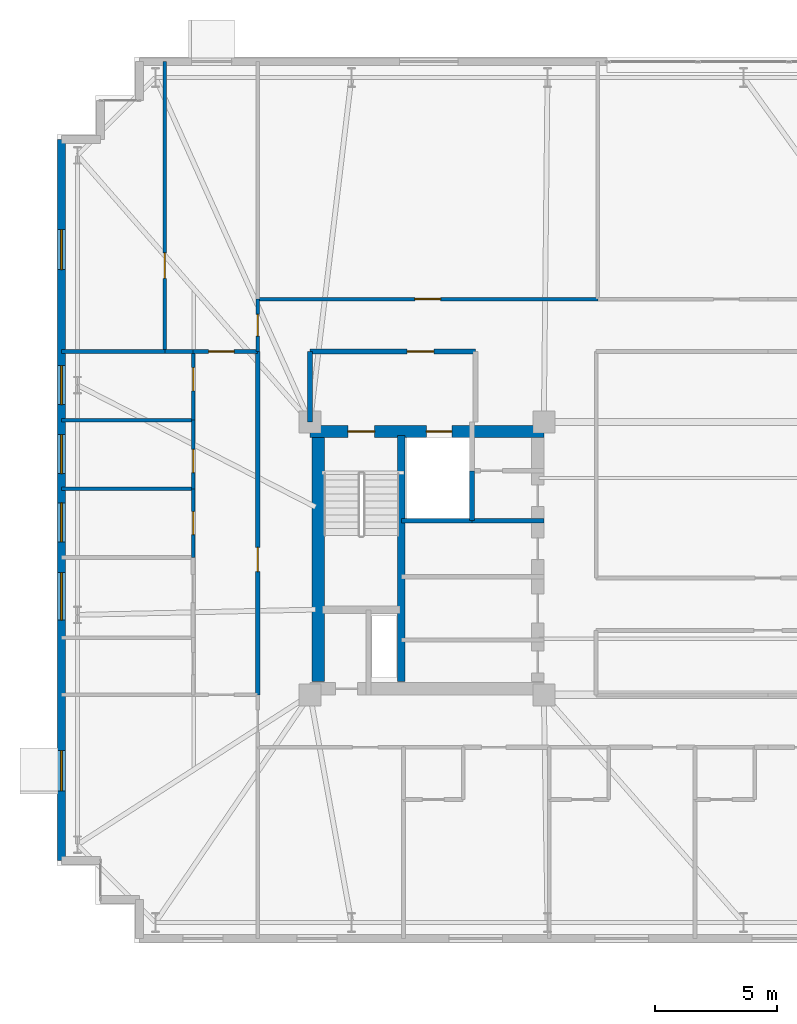
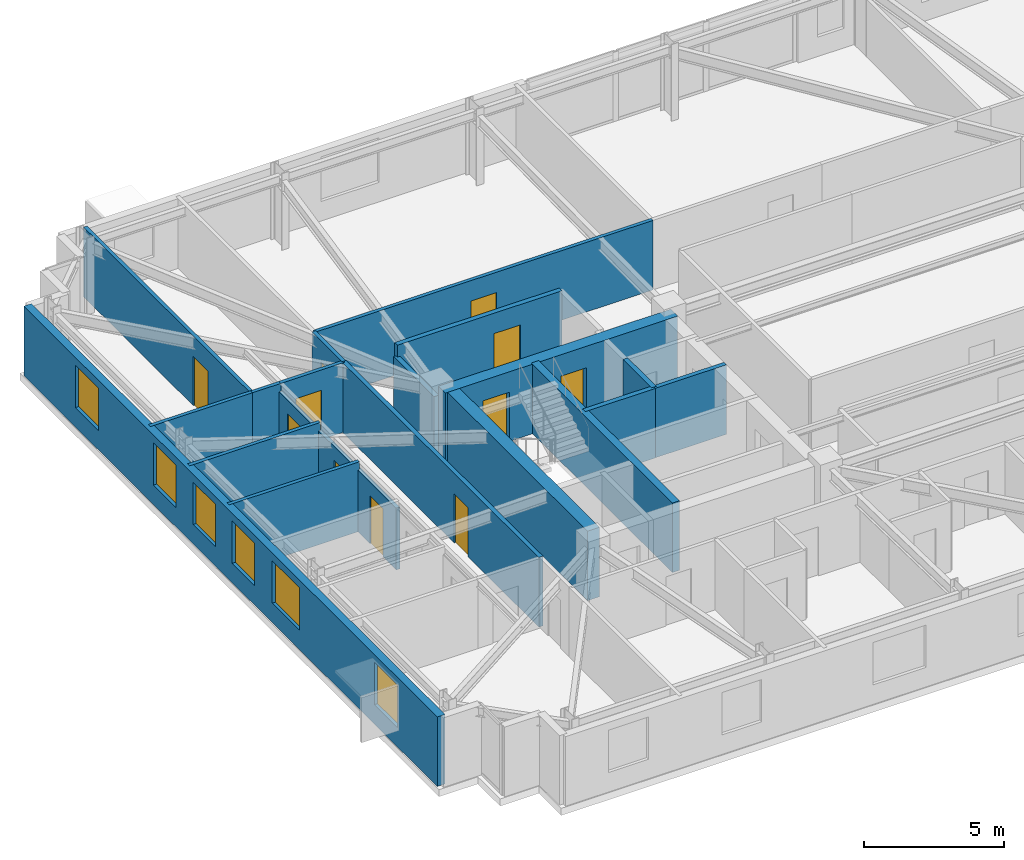
# One storey, part 13 of 18: 21 walls, 11 doors, 6 windows, 17 openings.
"""IFC4 building model written with IfcOpenShell, lengths in metres."""

from ifc_helpers import new_model, si_unit, direction, frame, frame_2d, origin, place, context, subcontext, project, spatial, rectangle, extrude, material, layer, layer_set, type_object, element, fill, save


model = new_model("IFC4")

# Units and contexts
model_context = context("Model", 3, precision=1e-05, world=origin(), true_north=direction((0.0, 1.0)))
body_context = subcontext(model_context, "Body", "Model", "MODEL_VIEW")
ifc_project = project(units=[si_unit("LENGTHUNIT", "METRE"), si_unit("AREAUNIT", "SQUARE_METRE"), si_unit("VOLUMEUNIT", "CUBIC_METRE"), si_unit("PLANEANGLEUNIT", "RADIAN"), si_unit("MASSUNIT", "GRAM", prefix="KILO")], contexts=[model_context])

# Site, building, storey
site_placement = place(None, origin())
site = spatial("IfcSite", under=ifc_project, at=site_placement, CompositionType="ELEMENT")
building_placement = place(site_placement, origin())
building = spatial("IfcBuilding", under=site, at=building_placement, Name="Qobustan Lattice House", CompositionType="ELEMENT")
storey_placement = place(building_placement, frame((0.0, 0.0, 147.75)))
storey = spatial("IfcBuildingStorey", under=building, at=storey_placement, Name="L41", CompositionType="ELEMENT", Elevation=147.75)

# Wall, openings, doors
ifc_material_1 = material(Name="Concrete C50/60", Category="concrete")
ifc_layer_1 = layer(ifc_material_1, 0.5)
ifc_layer_set_1 = layer_set([ifc_layer_1], Name="Concrete C50/60")
wall_type_1 = type_object("IfcWallType", Name="WAL-CORE-500", PredefinedType="SHEAR", material=ifc_layer_set_1)
wall_1_placement = place(storey_placement, frame((-18.800048828125, 5.2099609375, 0.0), z_axis=(0.0, 0.0, 1.0), x_axis=(1.0, 0.0, 0.0)))
wall_1 = element("IfcWall", 1, at=wall_1_placement, inside=storey, type_object=wall_type_1, Name="L41 split-core shear wall CW-N", PredefinedType="SHEAR", context=body_context, shape_type="SweptSolid", body=[
    extrude(rectangle(XDim=9.60009765625, YDim=0.5, at=frame_2d((4.800048828125, 0.0))), origin(), (0.0, 0.0, 1.0), 3.0400390625),
])
opening_1_placement = place(wall_1_placement, frame((1.550048828125, 0.0, 0.0)))
opening_1 = element("IfcOpeningElement", 2, at=opening_1_placement, cuts=wall_1, Name="Opening SD-01", PredefinedType="OPENING", context=body_context, shape_type="SweptSolid", body=[
    extrude(rectangle(XDim=1.10009765625, YDim=2.14990234375, at=frame_2d((0.550048828125, 1.074951171875))), frame((0.0, 0.260009765625, 0.0), z_axis=(0.0, -1.0, 0.0), x_axis=(1.0, 0.0, 0.0)), (0.0, 0.0, 1.0), 0.52001953125),
])
opening_2_placement = place(wall_1_placement, frame((4.77490234375, 0.0, 0.0)))
opening_2 = element("IfcOpeningElement", 3, at=opening_2_placement, cuts=wall_1, Name="Opening LD-01", PredefinedType="OPENING", context=body_context, shape_type="SweptSolid", body=[
    extrude(rectangle(XDim=1.050048828125, YDim=2.10009765625, at=frame_2d((0.52490234375, 1.050048828125))), frame((0.0, 0.260009765625, 0.0), z_axis=(0.0, -1.0, 0.0), x_axis=(1.0, 0.0, 0.0)), (0.0, 0.0, 1.0), 0.52001953125),
])
ifc_material_2 = material(Name="Persian walnut timber and steel frame door", Category="steel")
door_type_1 = type_object("IfcDoorType", Name="DOR-LIFT-LD-1050x2100", OperationType="NOTDEFINED", PredefinedType="DOOR", material=ifc_material_2)
door_1_placement = place(opening_2_placement, origin())
door_1 = element("IfcDoor", 4, at=door_1_placement, inside=storey, type_object=door_type_1, Name="L41 firefighting lift FF-W landing door", OperationType="DOUBLE_DOOR_SLIDING", OverallHeight=2.10009765625, OverallWidth=1.050048828125, PredefinedType="DOOR", context=body_context, shape_type="SweptSolid", body=[
    extrude(rectangle(XDim=1.050048828125, YDim=2.10009765625, at=frame_2d((0.52490234375, 1.050048828125))), frame((0.0, 0.02490234375, 0.0), z_axis=(0.0, -1.0, 0.0), x_axis=(1.0, 0.0, 0.0)), (0.0, 0.0, 1.0), 0.050048828125),
])
fill(opening_2, door_1)
ifc_material_3 = material(Name="Persian walnut timber and steel frame door", Category="steel")
door_type_2 = type_object("IfcDoorType", Name="DOR-STAIR-FD-1100x2150", OperationType="NOTDEFINED", PredefinedType="DOOR", material=ifc_material_3)
door_2_placement = place(opening_1_placement, origin())
door_2 = element("IfcDoor", 5, at=door_2_placement, inside=storey, type_object=door_type_2, Name="L41 exit stair ST-W1 fire door", OperationType="SINGLE_SWING_LEFT", OverallHeight=2.14990234375, OverallWidth=1.10009765625, PredefinedType="DOOR", context=body_context, shape_type="SweptSolid", body=[
    extrude(rectangle(XDim=1.10009765625, YDim=2.14990234375, at=frame_2d((0.550048828125, 1.074951171875))), frame((0.0, 0.02490234375, 0.0), z_axis=(0.0, -1.0, 0.0), x_axis=(1.0, 0.0, 0.0)), (0.0, 0.0, 1.0), 0.050048828125),
])
fill(opening_1, door_2)

# Walls
wall_2_placement = place(storey_placement, frame((-18.4599609375, -5.050048828125, 0.0), z_axis=(0.0, 0.0, 1.0), x_axis=(0.0, 1.0, 0.0)))
element("IfcWall", 6, at=wall_2_placement, inside=storey, type_object=wall_type_1, Name="L41 split-core shear wall CW-W", PredefinedType="SHEAR", context=body_context, shape_type="SweptSolid", body=[
    extrude(rectangle(XDim=10.10009765625, YDim=0.5, at=frame_2d((5.050048828125, 0.0))), origin(), (0.0, 0.0, 1.0), 3.0400390625),
])
ifc_material_4 = material(Name="Concrete C50/60", Category="concrete")
ifc_layer_2 = layer(ifc_material_4, 0.280029296875)
ifc_layer_set_2 = layer_set([ifc_layer_2], Name="Concrete C50/60")
wall_type_2 = type_object("IfcWallType", Name="WAL-CORE-SPINE-280", PredefinedType="SHEAR", material=ifc_layer_set_2)
wall_3_placement = place(storey_placement, frame((-15.050048828125, -5.050048828125, 0.0), z_axis=(0.0, 0.0, 1.0), x_axis=(0.0, 1.0, 0.0)))
element("IfcWall", 7, at=wall_3_placement, inside=storey, type_object=wall_type_2, Name="L41 split-core shear wall CW-M", PredefinedType="SHEAR", context=body_context, shape_type="SweptSolid", body=[
    extrude(rectangle(XDim=10.10009765625, YDim=0.300048828125, at=frame_2d((5.050048828125, 0.0))), origin(), (0.0, 0.0, 1.0), 3.0400390625),
])

# Wall, openings, windows
ifc_material_5 = material(Name="Precast concrete C40/50", Category="concrete")
ifc_layer_3 = layer(ifc_material_5, 0.320068359375)
ifc_layer_set_3 = layer_set([ifc_layer_3], Name="Precast concrete C40/50")
wall_type_3 = type_object("IfcWallType", Name="WAL-EXT-STONE-320", PredefinedType="SOLIDWALL", material=ifc_layer_set_3)
wall_4_placement = place(storey_placement, frame((-29.0, -12.39990234375, 0.0), z_axis=(0.0, 0.0, 1.0), x_axis=(0.0, 1.0, 0.0)))
wall_4 = element("IfcWall", 8, at=wall_4_placement, inside=storey, type_object=wall_type_3, Name="L41 exterior limestone-clad wall 5", PredefinedType="SOLIDWALL", context=body_context, shape_type="SweptSolid", body=[
    extrude(rectangle(XDim=29.599853515625, YDim=0.320068359375, at=frame_2d((14.7998046875, 0.0))), origin(), (0.0, 0.0, 1.0), 3.0400390625),
])
opening_3_placement = place(wall_4_placement, frame((2.85498046875, 0.0, 0.85009765625)))
opening_3 = element("IfcOpeningElement", 9, at=opening_3_placement, cuts=wall_4, Name="Opening WN-09", PredefinedType="OPENING", context=body_context, shape_type="SweptSolid", body=[
    extrude(rectangle(XDim=1.64990234375, YDim=1.85009765625, at=frame_2d((0.824951171875, 0.925048828125))), frame((0.0, 0.169921875, 0.0), z_axis=(0.0, -1.0, 0.0), x_axis=(1.0, 0.0, 0.0)), (0.0, 0.0, 1.0), 0.340087890625),
])
opening_4_placement = place(wall_4_placement, frame((9.864990234375, 0.0, 0.85009765625)))
opening_4 = element("IfcOpeningElement", 10, at=opening_4_placement, cuts=wall_4, Name="Opening WN-08", PredefinedType="OPENING", context=body_context, shape_type="SweptSolid", body=[
    extrude(rectangle(XDim=1.949951171875, YDim=1.85009765625, at=frame_2d((0.97509765625, 0.925048828125))), frame((0.0, 0.169921875, 0.0), z_axis=(0.0, -1.0, 0.0), x_axis=(1.0, 0.0, 0.0)), (0.0, 0.0, 1.0), 0.340087890625),
])
opening_5_placement = place(wall_4_placement, frame((13.080078125, 0.0, 0.85009765625)))
opening_5 = element("IfcOpeningElement", 11, at=opening_5_placement, cuts=wall_4, Name="Opening WN-13", PredefinedType="OPENING", context=body_context, shape_type="SweptSolid", body=[
    extrude(rectangle(XDim=1.60009765625, YDim=1.85009765625, at=frame_2d((0.800048828125, 0.925048828125))), frame((0.0, 0.169921875, 0.0), z_axis=(0.0, -1.0, 0.0), x_axis=(1.0, 0.0, 0.0)), (0.0, 0.0, 1.0), 0.340087890625),
])
opening_6_placement = place(wall_4_placement, frame((15.8798828125, 0.0, 0.85009765625)))
opening_6 = element("IfcOpeningElement", 12, at=opening_6_placement, cuts=wall_4, Name="Opening WN-13", PredefinedType="OPENING", context=body_context, shape_type="SweptSolid", body=[
    extrude(rectangle(XDim=1.60009765625, YDim=1.85009765625, at=frame_2d((0.800048828125, 0.925048828125))), frame((0.0, 0.169921875, 0.0), z_axis=(0.0, -1.0, 0.0), x_axis=(1.0, 0.0, 0.0)), (0.0, 0.0, 1.0), 0.340087890625),
])
opening_7_placement = place(wall_4_placement, frame((18.719970703125, 0.0, 0.85009765625)))
opening_7 = element("IfcOpeningElement", 13, at=opening_7_placement, cuts=wall_4, Name="Opening WN-13", PredefinedType="OPENING", context=body_context, shape_type="SweptSolid", body=[
    extrude(rectangle(XDim=1.60009765625, YDim=1.85009765625, at=frame_2d((0.800048828125, 0.925048828125))), frame((0.0, 0.169921875, 0.0), z_axis=(0.0, -1.0, 0.0), x_axis=(1.0, 0.0, 0.0)), (0.0, 0.0, 1.0), 0.340087890625),
])
opening_8_placement = place(wall_4_placement, frame((24.2548828125, 0.0, 0.85009765625)))
opening_8 = element("IfcOpeningElement", 14, at=opening_8_placement, cuts=wall_4, Name="Opening WN-09", PredefinedType="OPENING", context=body_context, shape_type="SweptSolid", body=[
    extrude(rectangle(XDim=1.64990234375, YDim=1.85009765625, at=frame_2d((0.824951171875, 0.925048828125))), frame((0.0, 0.169921875, 0.0), z_axis=(0.0, -1.0, 0.0), x_axis=(1.0, 0.0, 0.0)), (0.0, 0.0, 1.0), 0.340087890625),
])
ifc_material_6 = material(Name="Double-glazed low-E aluminium window", Category="aluminium")
window_type_1 = type_object("IfcWindowType", Name="WIN-BED-1600x1850", PartitioningType="SINGLE_PANEL", PredefinedType="WINDOW", material=ifc_material_6)
window_1_placement = place(opening_5_placement, origin())
window_1 = element("IfcWindow", 15, at=window_1_placement, inside=storey, type_object=window_type_1, Name="L41 Cluster bedroom L41W1 window", OverallHeight=1.85009765625, OverallWidth=1.60009765625, PartitioningType="SINGLE_PANEL", PredefinedType="WINDOW", context=body_context, shape_type="SweptSolid", body=[
    extrude(rectangle(XDim=1.60009765625, YDim=1.85009765625, at=frame_2d((0.800048828125, 0.925048828125))), frame((0.0, 0.030029296875, 0.0), z_axis=(0.0, -1.0, 0.0), x_axis=(1.0, 0.0, 0.0)), (0.0, 0.0, 1.0), 0.06005859375),
])
fill(opening_5, window_1)
window_2_placement = place(opening_6_placement, origin())
window_2 = element("IfcWindow", 16, at=window_2_placement, inside=storey, type_object=window_type_1, Name="L41 Cluster bedroom L41W2 window", OverallHeight=1.85009765625, OverallWidth=1.60009765625, PartitioningType="SINGLE_PANEL", PredefinedType="WINDOW", context=body_context, shape_type="SweptSolid", body=[
    extrude(rectangle(XDim=1.60009765625, YDim=1.85009765625, at=frame_2d((0.800048828125, 0.925048828125))), frame((0.0, 0.030029296875, 0.0), z_axis=(0.0, -1.0, 0.0), x_axis=(1.0, 0.0, 0.0)), (0.0, 0.0, 1.0), 0.06005859375),
])
fill(opening_6, window_2)
window_3_placement = place(opening_7_placement, origin())
window_3 = element("IfcWindow", 17, at=window_3_placement, inside=storey, type_object=window_type_1, Name="L41 Cluster bedroom L41W3 window", OverallHeight=1.85009765625, OverallWidth=1.60009765625, PartitioningType="SINGLE_PANEL", PredefinedType="WINDOW", context=body_context, shape_type="SweptSolid", body=[
    extrude(rectangle(XDim=1.60009765625, YDim=1.85009765625, at=frame_2d((0.800048828125, 0.925048828125))), frame((0.0, 0.030029296875, 0.0), z_axis=(0.0, -1.0, 0.0), x_axis=(1.0, 0.0, 0.0)), (0.0, 0.0, 1.0), 0.06005859375),
])
fill(opening_7, window_3)
ifc_material_7 = material(Name="Double-glazed low-E aluminium window", Category="aluminium")
window_type_2 = type_object("IfcWindowType", Name="WIN-KIT-1950x1850", PartitioningType="SINGLE_PANEL", PredefinedType="WINDOW", material=ifc_material_7)
window_4_placement = place(opening_4_placement, origin())
window_4 = element("IfcWindow", 18, at=window_4_placement, inside=storey, type_object=window_type_2, Name="L41 Shared kitchen L41W window", OverallHeight=1.85009765625, OverallWidth=1.949951171875, PartitioningType="SINGLE_PANEL", PredefinedType="WINDOW", context=body_context, shape_type="SweptSolid", body=[
    extrude(rectangle(XDim=1.949951171875, YDim=1.85009765625, at=frame_2d((0.97509765625, 0.925048828125))), frame((0.0, 0.030029296875, 0.0), z_axis=(0.0, -1.0, 0.0), x_axis=(1.0, 0.0, 0.0)), (0.0, 0.0, 1.0), 0.06005859375),
])
fill(opening_4, window_4)
ifc_material_8 = material(Name="Double-glazed low-E aluminium window", Category="aluminium")
window_type_3 = type_object("IfcWindowType", Name="WIN-STU-1650x1850", PartitioningType="SINGLE_PANEL", PredefinedType="WINDOW", material=ifc_material_8)
window_5_placement = place(opening_3_placement, origin())
window_5 = element("IfcWindow", 19, at=window_5_placement, inside=storey, type_object=window_type_3, Name="L41 Reading study room L41WS window", OverallHeight=1.85009765625, OverallWidth=1.64990234375, PartitioningType="SINGLE_PANEL", PredefinedType="WINDOW", context=body_context, shape_type="SweptSolid", body=[
    extrude(rectangle(XDim=1.64990234375, YDim=1.85009765625, at=frame_2d((0.824951171875, 0.925048828125))), frame((0.0, 0.030029296875, 0.0), z_axis=(0.0, -1.0, 0.0), x_axis=(1.0, 0.0, 0.0)), (0.0, 0.0, 1.0), 0.06005859375),
])
fill(opening_3, window_5)
window_6_placement = place(opening_8_placement, origin())
window_6 = element("IfcWindow", 20, at=window_6_placement, inside=storey, type_object=window_type_3, Name="L41 Collaborative study room L41WN window", OverallHeight=1.85009765625, OverallWidth=1.64990234375, PartitioningType="SINGLE_PANEL", PredefinedType="WINDOW", context=body_context, shape_type="SweptSolid", body=[
    extrude(rectangle(XDim=1.64990234375, YDim=1.85009765625, at=frame_2d((0.824951171875, 0.925048828125))), frame((0.0, 0.030029296875, 0.0), z_axis=(0.0, -1.0, 0.0), x_axis=(1.0, 0.0, 0.0)), (0.0, 0.0, 1.0), 0.06005859375),
])
fill(opening_8, window_6)

# Wall
ifc_material_9 = material(Name="Gypsum fireboard acoustic partition", Category="gypsum")
ifc_layer_4 = layer(ifc_material_9, 0.179931640625)
ifc_layer_set_4 = layer_set([ifc_layer_4], Name="Gypsum fireboard acoustic partition")
wall_type_4 = type_object("IfcWallType", Name="WAL-FIRE-180", PredefinedType="PARTITIONING", material=ifc_layer_set_4)
wall_5_placement = place(storey_placement, frame((-12.14990234375, 1.550048828125, 0.0), z_axis=(0.0, 0.0, 1.0), x_axis=(1.0, 0.0, 0.0)))
element("IfcWall", 21, at=wall_5_placement, inside=storey, type_object=wall_type_4, Name="L41 interior partition 8", PredefinedType="PARTITIONING", context=body_context, shape_type="SweptSolid", body=[
    extrude(rectangle(XDim=2.949951171875, YDim=0.179931640625, at=frame_2d((1.47509765625, 0.0))), origin(), (0.0, 0.0, 1.0), 3.0400390625),
])

# Wall, opening, door
wall_6_placement = place(storey_placement, frame((-20.949951171875, -5.60009765625, 0.0), z_axis=(0.0, 0.0, 1.0), x_axis=(0.0, 1.0, 0.0)))
wall_6 = element("IfcWall", 22, at=wall_6_placement, inside=storey, type_object=wall_type_4, Name="L41 interior partition 58", PredefinedType="PARTITIONING", context=body_context, shape_type="SweptSolid", body=[
    extrude(rectangle(XDim=14.10009765625, YDim=0.179931640625, at=frame_2d((7.050048828125, 0.0))), origin(), (0.0, 0.0, 1.0), 3.0400390625),
])
opening_9_placement = place(wall_6_placement, frame((5.0576171875, 0.0, 0.0)))
opening_9 = element("IfcOpeningElement", 23, at=opening_9_placement, cuts=wall_6, Name="Opening FD-02", PredefinedType="OPENING", context=body_context, shape_type="SweptSolid", body=[
    extrude(rectangle(XDim=1.0, YDim=2.14990234375, at=frame_2d((0.5, 1.074951171875))), frame((0.0, 0.099853515625, 0.0), z_axis=(0.0, -1.0, 0.0), x_axis=(1.0, 0.0, 0.0)), (0.0, 0.0, 1.0), 0.199951171875),
])
ifc_material_10 = material(Name="Persian walnut timber and steel frame door", Category="steel")
door_type_3 = type_object("IfcDoorType", Name="DOR-UNIT-FD-1000x2150", OperationType="NOTDEFINED", PredefinedType="DOOR", material=ifc_material_10)
door_3_placement = place(opening_9_placement, origin())
door_3 = element("IfcDoor", 24, at=door_3_placement, inside=storey, type_object=door_type_3, Name="L41 West wing spine gallery to Residence entrance hall L41W door", OperationType="SINGLE_SWING_LEFT", OverallHeight=2.14990234375, OverallWidth=1.0, PredefinedType="DOOR", context=body_context, shape_type="SweptSolid", body=[
    extrude(rectangle(XDim=1.0, YDim=2.14990234375, at=frame_2d((0.5, 1.074951171875))), frame((0.0, 0.02490234375, 0.0), z_axis=(0.0, -1.0, 0.0), x_axis=(1.0, 0.0, 0.0)), (0.0, 0.0, 1.0), 0.050048828125),
])
fill(opening_9, door_3)

ifc_material_11 = material(Name="Acoustic twin-stud gypsum partition", Category="gypsum")
ifc_layer_5 = layer(ifc_material_11, 0.14990234375)
ifc_layer_set_5 = layer_set([ifc_layer_5], Name="Acoustic twin-stud gypsum partition")
wall_type_5 = type_object("IfcWallType", Name="WAL-PART-150", PredefinedType="PARTITIONING", material=ifc_layer_set_5)
wall_7_placement = place(storey_placement, frame((-20.949951171875, 8.5, 0.0), z_axis=(0.0, 0.0, 1.0), x_axis=(0.0, 1.0, 0.0)))
wall_7 = element("IfcWall", 25, at=wall_7_placement, inside=storey, type_object=wall_type_5, Name="L41 interior partition 32", PredefinedType="PARTITIONING", context=body_context, shape_type="SweptSolid", body=[
    extrude(rectangle(XDim=2.14990234375, YDim=0.14990234375, at=frame_2d((1.074951171875, 0.0))), origin(), (0.0, 0.0, 1.0), 3.0400390625),
])
opening_10_placement = place(wall_7_placement, frame((0.625, 0.0, 0.0)))
opening_10 = element("IfcOpeningElement", 26, at=opening_10_placement, cuts=wall_7, Name="Opening WD-01", PredefinedType="OPENING", context=body_context, shape_type="SweptSolid", body=[
    extrude(rectangle(XDim=0.89990234375, YDim=2.10009765625, at=frame_2d((0.449951171875, 1.050048828125))), frame((0.0, 0.0849609375, 0.0), z_axis=(0.0, -1.0, 0.0), x_axis=(1.0, 0.0, 0.0)), (0.0, 0.0, 1.0), 0.169921875),
])
ifc_material_12 = material(Name="Persian walnut timber and steel frame door", Category="steel")
door_type_4 = type_object("IfcDoorType", Name="DOR-WET-900x2100", OperationType="NOTDEFINED", PredefinedType="DOOR", material=ifc_material_12)
door_4_placement = place(opening_10_placement, origin())
door_4 = element("IfcDoor", 27, at=door_4_placement, inside=storey, type_object=door_type_4, Name="L41 North-west floor corridor to Reading seminar room L41WN door", OperationType="SINGLE_SWING_RIGHT", OverallHeight=2.10009765625, OverallWidth=0.89990234375, PredefinedType="DOOR", context=body_context, shape_type="SweptSolid", body=[
    extrude(rectangle(XDim=0.89990234375, YDim=2.10009765625, at=frame_2d((0.449951171875, 1.050048828125))), frame((0.0, 0.02490234375, 0.0), z_axis=(0.0, -1.0, 0.0), x_axis=(1.0, 0.0, 0.0)), (0.0, 0.0, 1.0), 0.050048828125),
])
fill(opening_10, door_4)

wall_8_placement = place(storey_placement, frame((-20.949951171875, 10.64990234375, 0.0), z_axis=(0.0, 0.0, 1.0), x_axis=(1.0, 0.0, 0.0)))
wall_8 = element("IfcWall", 28, at=wall_8_placement, inside=storey, type_object=wall_type_5, Name="L41 interior partition 33", PredefinedType="PARTITIONING", context=body_context, shape_type="SweptSolid", body=[
    extrude(rectangle(XDim=13.967041015625, YDim=0.14990234375, at=frame_2d((6.9833984375, 0.0))), origin(), (0.0, 0.0, 1.0), 3.0400390625),
])
opening_11_placement = place(wall_8_placement, frame((6.45849609375, 0.0, 0.0)))
opening_11 = element("IfcOpeningElement", 29, at=opening_11_placement, cuts=wall_8, Name="Opening ID-02", PredefinedType="OPENING", context=body_context, shape_type="SweptSolid", body=[
    extrude(rectangle(XDim=1.050048828125, YDim=2.14990234375, at=frame_2d((0.52490234375, 1.074951171875))), frame((0.0, 0.0849609375, 0.0), z_axis=(0.0, -1.0, 0.0), x_axis=(1.0, 0.0, 0.0)), (0.0, 0.0, 1.0), 0.169921875),
])
ifc_material_13 = material(Name="Persian walnut timber and steel frame door", Category="steel")
door_type_5 = type_object("IfcDoorType", Name="DOR-STUDY-1050x2150", OperationType="NOTDEFINED", PredefinedType="DOOR", material=ifc_material_13)
door_5_placement = place(opening_11_placement, origin())
door_5 = element("IfcDoor", 30, at=door_5_placement, inside=storey, type_object=door_type_5, Name="L41 North-west floor corridor to Walnut iwan sky lounge N1 door", OperationType="SINGLE_SWING_LEFT", OverallHeight=2.14990234375, OverallWidth=1.050048828125, PredefinedType="DOOR", context=body_context, shape_type="SweptSolid", body=[
    extrude(rectangle(XDim=1.050048828125, YDim=2.14990234375, at=frame_2d((0.52490234375, 1.074951171875))), frame((0.0, 0.02490234375, 0.0), z_axis=(0.0, -1.0, 0.0), x_axis=(1.0, 0.0, 0.0)), (0.0, 0.0, 1.0), 0.050048828125),
])
fill(opening_11, door_5)

wall_9_placement = place(storey_placement, frame((-23.60009765625, 8.5, 0.0), z_axis=(0.0, 0.0, 1.0), x_axis=(1.0, 0.0, 0.0)))
wall_9 = element("IfcWall", 31, at=wall_9_placement, inside=storey, type_object=wall_type_5, Name="L41 interior partition 68", PredefinedType="PARTITIONING", context=body_context, shape_type="SweptSolid", body=[
    extrude(rectangle(XDim=2.650146484375, YDim=0.14990234375, at=frame_2d((1.3251953125, 0.0))), origin(), (0.0, 0.0, 1.0), 3.0400390625),
])
opening_12_placement = place(wall_9_placement, frame((0.635009765625, 0.0, 0.0)))
opening_12 = element("IfcOpeningElement", 32, at=opening_12_placement, cuts=wall_9, Name="Opening ID-02", PredefinedType="OPENING", context=body_context, shape_type="SweptSolid", body=[
    extrude(rectangle(XDim=1.050048828125, YDim=2.14990234375, at=frame_2d((0.52490234375, 1.074951171875))), frame((0.0, 0.0849609375, 0.0), z_axis=(0.0, -1.0, 0.0), x_axis=(1.0, 0.0, 0.0)), (0.0, 0.0, 1.0), 0.169921875),
])
door_6_placement = place(opening_12_placement, origin())
door_6 = element("IfcDoor", 33, at=door_6_placement, inside=storey, type_object=door_type_5, Name="L41 Residence entrance hall L41W to Reading seminar room L41WN door", OperationType="SINGLE_SWING_LEFT", OverallHeight=2.14990234375, OverallWidth=1.050048828125, PredefinedType="DOOR", context=body_context, shape_type="SweptSolid", body=[
    extrude(rectangle(XDim=1.050048828125, YDim=2.14990234375, at=frame_2d((0.52490234375, 1.074951171875))), frame((0.0, 0.02490234375, 0.0), z_axis=(0.0, -1.0, 0.0), x_axis=(1.0, 0.0, 0.0)), (0.0, 0.0, 1.0), 0.050048828125),
])
fill(opening_12, door_6)

wall_10_placement = place(storey_placement, frame((-23.60009765625, 0.0400390625, 0.0), z_axis=(0.0, 0.0, 1.0), x_axis=(0.0, 1.0, 0.0)))
wall_10 = element("IfcWall", 34, at=wall_10_placement, inside=storey, type_object=wall_type_5, Name="L41 interior partition 72", PredefinedType="PARTITIONING", context=body_context, shape_type="SweptSolid", body=[
    extrude(rectangle(XDim=2.820068359375, YDim=0.14990234375, at=frame_2d((1.41015625, 0.0))), origin(), (0.0, 0.0, 1.0), 2.695068359375),
])
opening_13_placement = place(wall_10_placement, frame((0.93505859375, 0.0, 0.0)))
opening_13 = element("IfcOpeningElement", 35, at=opening_13_placement, cuts=wall_10, Name="Opening ID-01", PredefinedType="OPENING", context=body_context, shape_type="SweptSolid", body=[
    extrude(rectangle(XDim=0.949951171875, YDim=2.10009765625, at=frame_2d((0.47509765625, 1.050048828125))), frame((0.0, 0.0849609375, 0.0), z_axis=(0.0, -1.0, 0.0), x_axis=(1.0, 0.0, 0.0)), (0.0, 0.0, 1.0), 0.169921875),
])
ifc_material_14 = material(Name="Persian walnut timber and steel frame door", Category="steel")
door_type_6 = type_object("IfcDoorType", Name="DOR-ROOM-950x2100", OperationType="NOTDEFINED", PredefinedType="DOOR", material=ifc_material_14)
door_7_placement = place(opening_13_placement, origin())
door_7 = element("IfcDoor", 36, at=door_7_placement, inside=storey, type_object=door_type_6, Name="L41 Residence entrance hall L41W to Cluster bedroom L41W1 door", OperationType="SINGLE_SWING_LEFT", OverallHeight=2.10009765625, OverallWidth=0.949951171875, PredefinedType="DOOR", context=body_context, shape_type="SweptSolid", body=[
    extrude(rectangle(XDim=0.949951171875, YDim=2.10009765625, at=frame_2d((0.47509765625, 1.050048828125))), frame((0.0, 0.02490234375, 0.0), z_axis=(0.0, -1.0, 0.0), x_axis=(1.0, 0.0, 0.0)), (0.0, 0.0, 1.0), 0.050048828125),
])
fill(opening_13, door_7)

wall_11_placement = place(storey_placement, frame((-23.60009765625, 2.860107421875, 0.0), z_axis=(0.0, 0.0, 1.0), x_axis=(0.0, 1.0, 0.0)))
wall_11 = element("IfcWall", 37, at=wall_11_placement, inside=storey, type_object=wall_type_5, Name="L41 interior partition 73", PredefinedType="PARTITIONING", context=body_context, shape_type="SweptSolid", body=[
    extrude(rectangle(XDim=2.81982421875, YDim=0.14990234375, at=frame_2d((1.409912109375, 0.0))), origin(), (0.0, 0.0, 1.0), 2.695068359375),
])
opening_14_placement = place(wall_11_placement, frame((0.668701171875, 0.0, 0.0)))
opening_14 = element("IfcOpeningElement", 38, at=opening_14_placement, cuts=wall_11, Name="Opening ID-01", PredefinedType="OPENING", context=body_context, shape_type="SweptSolid", body=[
    extrude(rectangle(XDim=0.949951171875, YDim=2.10009765625, at=frame_2d((0.47509765625, 1.050048828125))), frame((0.0, 0.0849609375, 0.0), z_axis=(0.0, -1.0, 0.0), x_axis=(1.0, 0.0, 0.0)), (0.0, 0.0, 1.0), 0.169921875),
])
door_8_placement = place(opening_14_placement, origin())
door_8 = element("IfcDoor", 39, at=door_8_placement, inside=storey, type_object=door_type_6, Name="L41 Residence entrance hall L41W to Cluster bedroom L41W2 door", OperationType="SINGLE_SWING_RIGHT", OverallHeight=2.10009765625, OverallWidth=0.949951171875, PredefinedType="DOOR", context=body_context, shape_type="SweptSolid", body=[
    extrude(rectangle(XDim=0.949951171875, YDim=2.10009765625, at=frame_2d((0.47509765625, 1.050048828125))), frame((0.0, 0.02490234375, 0.0), z_axis=(0.0, -1.0, 0.0), x_axis=(1.0, 0.0, 0.0)), (0.0, 0.0, 1.0), 0.050048828125),
])
fill(opening_14, door_8)

wall_12_placement = place(storey_placement, frame((-23.60009765625, 5.679931640625, 0.0), z_axis=(0.0, 0.0, 1.0), x_axis=(0.0, 1.0, 0.0)))
wall_12 = element("IfcWall", 40, at=wall_12_placement, inside=storey, type_object=wall_type_5, Name="L41 interior partition 74", PredefinedType="PARTITIONING", context=body_context, shape_type="SweptSolid", body=[
    extrude(rectangle(XDim=2.820068359375, YDim=0.14990234375, at=frame_2d((1.41015625, 0.0))), origin(), (0.0, 0.0, 1.0), 2.695068359375),
])
opening_15_placement = place(wall_12_placement, frame((1.201171875, 0.0, 0.0)))
opening_15 = element("IfcOpeningElement", 41, at=opening_15_placement, cuts=wall_12, Name="Opening ID-01", PredefinedType="OPENING", context=body_context, shape_type="SweptSolid", body=[
    extrude(rectangle(XDim=0.949951171875, YDim=2.10009765625, at=frame_2d((0.47509765625, 1.050048828125))), frame((0.0, 0.0849609375, 0.0), z_axis=(0.0, -1.0, 0.0), x_axis=(1.0, 0.0, 0.0)), (0.0, 0.0, 1.0), 0.169921875),
])
door_9_placement = place(opening_15_placement, origin())
door_9 = element("IfcDoor", 42, at=door_9_placement, inside=storey, type_object=door_type_6, Name="L41 Residence entrance hall L41W to Cluster bedroom L41W3 door", OperationType="SINGLE_SWING_LEFT", OverallHeight=2.10009765625, OverallWidth=0.949951171875, PredefinedType="DOOR", context=body_context, shape_type="SweptSolid", body=[
    extrude(rectangle(XDim=0.949951171875, YDim=2.10009765625, at=frame_2d((0.47509765625, 1.050048828125))), frame((0.0, 0.02490234375, 0.0), z_axis=(0.0, -1.0, 0.0), x_axis=(1.0, 0.0, 0.0)), (0.0, 0.0, 1.0), 0.050048828125),
])
fill(opening_15, door_9)

wall_13_placement = place(storey_placement, frame((-24.764892578125, 8.5, 0.0), z_axis=(0.0, 0.0, 1.0), x_axis=(0.0, 1.0, 0.0)))
wall_13 = element("IfcWall", 43, at=wall_13_placement, inside=storey, type_object=wall_type_5, Name="L41 interior partition 75", PredefinedType="PARTITIONING", context=body_context, shape_type="SweptSolid", body=[
    extrude(rectangle(XDim=11.89990234375, YDim=0.14990234375, at=frame_2d((5.949951171875, 0.0))), origin(), (0.0, 0.0, 1.0), 3.0400390625),
])
opening_16_placement = place(wall_13_placement, frame((3.00244140625, 0.0, 0.0)))
opening_16 = element("IfcOpeningElement", 44, at=opening_16_placement, cuts=wall_13, Name="Opening ID-02", PredefinedType="OPENING", context=body_context, shape_type="SweptSolid", body=[
    extrude(rectangle(XDim=1.050048828125, YDim=2.14990234375, at=frame_2d((0.52490234375, 1.074951171875))), frame((0.0, 0.0849609375, 0.0), z_axis=(0.0, -1.0, 0.0), x_axis=(1.0, 0.0, 0.0)), (0.0, 0.0, 1.0), 0.169921875),
])
door_10_placement = place(opening_16_placement, origin())
door_10 = element("IfcDoor", 45, at=door_10_placement, inside=storey, type_object=door_type_5, Name="L41 Reading seminar room L41WN to Collaborative study room L41WN door", OperationType="SINGLE_SWING_RIGHT", OverallHeight=2.14990234375, OverallWidth=1.050048828125, PredefinedType="DOOR", context=body_context, shape_type="SweptSolid", body=[
    extrude(rectangle(XDim=1.050048828125, YDim=2.14990234375, at=frame_2d((0.52490234375, 1.074951171875))), frame((0.0, 0.02490234375, 0.0), z_axis=(0.0, -1.0, 0.0), x_axis=(1.0, 0.0, 0.0)), (0.0, 0.0, 1.0), 0.050048828125),
])
fill(opening_16, door_10)

# Walls
wall_14_placement = place(storey_placement, frame((-23.60009765625, 8.5, 0.0), z_axis=(0.0, 0.0, 1.0), x_axis=(-1.0, 0.0, 0.0)))
element("IfcWall", 46, at=wall_14_placement, inside=storey, type_object=wall_type_5, Name="L41 interior partition 76", PredefinedType="PARTITIONING", context=body_context, shape_type="SweptSolid", body=[
    extrude(rectangle(XDim=1.164794921875, YDim=0.14990234375, at=frame_2d((0.58251953125, 0.0))), origin(), (0.0, 0.0, 1.0), 3.0400390625),
])
wall_15_placement = place(storey_placement, frame((-24.764892578125, 8.5, 0.0), z_axis=(0.0, 0.0, 1.0), x_axis=(-1.0, 0.0, 0.0)))
element("IfcWall", 47, at=wall_15_placement, inside=storey, type_object=wall_type_5, Name="L41 interior partition 78", PredefinedType="PARTITIONING", context=body_context, shape_type="SweptSolid", body=[
    extrude(rectangle(XDim=4.235107421875, YDim=0.14990234375, at=frame_2d((2.11767578125, 0.0))), origin(), (0.0, 0.0, 1.0), 3.0400390625),
])
for number, where, z_axis, x_axis, name in (
    (48, (-29.0, 2.860107421875, 0.0), (0.0, 0.0, 1.0), (1.0, 0.0, 0.0), "L41 interior partition 83"),
    (49, (-29.0, 5.679931640625, 0.0), (0.0, 0.0, 1.0), (1.0, 0.0, 0.0), "L41 interior partition 84"),
):
    element("IfcWall", number, at=place(storey_placement, frame(where, z_axis=z_axis, x_axis=x_axis)), inside=storey, type_object=wall_type_5, Name=name, PredefinedType="PARTITIONING", context=body_context, shape_type="SweptSolid", body=[
        extrude(rectangle(XDim=5.39990234375, YDim=0.14990234375, at=frame_2d((2.699951171875, 0.0))), origin(), (0.0, 0.0, 1.0), 3.0400390625),
    ])

# Wall, opening, door
ifc_material_15 = material(Name="Two-hour gypsum fireboard acoustic partition", Category="gypsum")
ifc_layer_6 = layer(ifc_material_15, 0.199951171875)
ifc_layer_set_6 = layer_set([ifc_layer_6], Name="Two-hour gypsum fireboard acoustic partition")
wall_type_6 = type_object("IfcWallType", Name="WAL-PROT-200", PredefinedType="PARTITIONING", material=ifc_layer_set_6)
wall_16_placement = place(storey_placement, frame((-12.0, 8.5, 0.0), z_axis=(0.0, 0.0, 1.0), x_axis=(-1.0, 0.0, 0.0)))
wall_16 = element("IfcWall", 50, at=wall_16_placement, inside=storey, type_object=wall_type_6, Name="L41 interior partition 4", PredefinedType="PARTITIONING", context=body_context, shape_type="SweptSolid", body=[
    extrude(rectangle(XDim=6.800048828125, YDim=0.199951171875, at=frame_2d((3.39990234375, 0.0))), origin(), (0.0, 0.0, 1.0), 3.0400390625),
])
opening_17_placement = place(wall_16_placement, frame((1.715087890625, 0.0, 0.0)))
opening_17 = element("IfcOpeningElement", 51, at=opening_17_placement, cuts=wall_16, Name="Opening SD-01", PredefinedType="OPENING", context=body_context, shape_type="SweptSolid", body=[
    extrude(rectangle(XDim=1.10009765625, YDim=2.14990234375, at=frame_2d((0.550048828125, 1.074951171875))), frame((0.0, 0.10986328125, 0.0), z_axis=(0.0, -1.0, 0.0), x_axis=(1.0, 0.0, 0.0)), (0.0, 0.0, 1.0), 0.219970703125),
])
door_11_placement = place(opening_17_placement, origin())
door_11 = element("IfcDoor", 52, at=door_11_placement, inside=storey, type_object=door_type_2, Name="L41 West firefighting lift lobby to North-west floor corridor door", OperationType="SINGLE_SWING_LEFT", OverallHeight=2.14990234375, OverallWidth=1.10009765625, PredefinedType="DOOR", context=body_context, shape_type="SweptSolid", body=[
    extrude(rectangle(XDim=1.10009765625, YDim=2.14990234375, at=frame_2d((0.550048828125, 1.074951171875))), frame((0.0, 0.02490234375, 0.0), z_axis=(0.0, -1.0, 0.0), x_axis=(1.0, 0.0, 0.0)), (0.0, 0.0, 1.0), 0.050048828125),
])
fill(opening_17, door_11)

# Walls
wall_17_placement = place(storey_placement, frame((-18.800048828125, 8.5, 0.0), z_axis=(0.0, 0.0, 1.0), x_axis=(0.0, -1.0, 0.0)))
element("IfcWall", 53, at=wall_17_placement, inside=storey, type_object=wall_type_6, Name="L41 interior partition 5", PredefinedType="PARTITIONING", context=body_context, shape_type="SweptSolid", body=[
    extrude(rectangle(XDim=2.89990234375, YDim=0.199951171875, at=frame_2d((1.449951171875, 0.0))), origin(), (0.0, 0.0, 1.0), 2.52490234375),
])
ifc_material_16 = material(Name="Concrete C40/50", Category="concrete")
ifc_layer_7 = layer(ifc_material_16, 0.199951171875)
ifc_layer_set_7 = layer_set([ifc_layer_7], Name="Concrete C40/50")
wall_type_7 = type_object("IfcWallType", Name="WAL-SHAFT-200", PredefinedType="PARTITIONING", material=ifc_layer_set_7)
wall_18_placement = place(storey_placement, frame((-12.14990234375, 1.550048828125, 0.0), z_axis=(0.0, 0.0, 1.0), x_axis=(0.0, 1.0, 0.0)))
element("IfcWall", 54, at=wall_18_placement, inside=storey, type_object=wall_type_7, Name="L41 interior partition 2", PredefinedType="PARTITIONING", context=body_context, shape_type="SweptSolid", body=[
    extrude(rectangle(XDim=2.050048828125, YDim=0.199951171875, at=frame_2d((1.02490234375, 0.0))), origin(), (0.0, 0.0, 1.0), 3.0400390625),
])
wall_19_placement = place(storey_placement, frame((-15.050048828125, 1.550048828125, 0.0), z_axis=(0.0, 0.0, 1.0), x_axis=(1.0, 0.0, 0.0)))
element("IfcWall", 55, at=wall_19_placement, inside=storey, type_object=wall_type_7, Name="L41 interior partition 116", PredefinedType="PARTITIONING", context=body_context, shape_type="SweptSolid", body=[
    extrude(rectangle(XDim=2.900146484375, YDim=0.199951171875, at=frame_2d((1.4501953125, 0.0))), origin(), (0.0, 0.0, 1.0), 3.0400390625),
])

save(model, "model.ifc")
